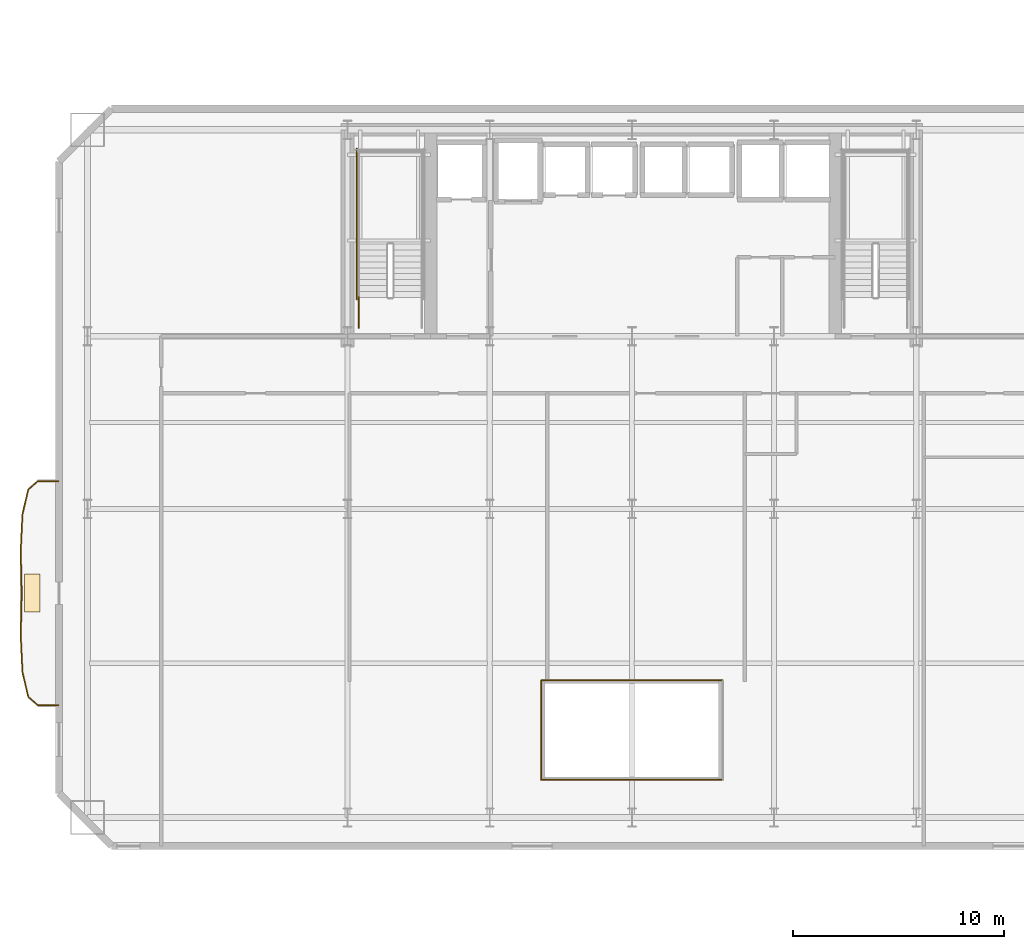
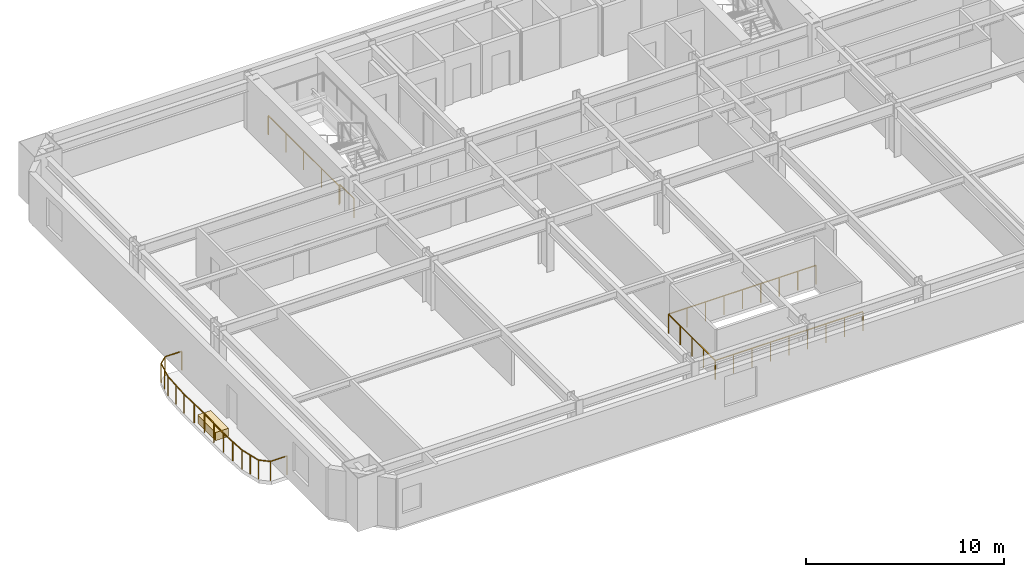
# One storey, part 10 of 16: 15 railings, 1 covering.
"""IFC4 building model written with IfcOpenShell, lengths in metres."""

from ifc_helpers import new_model, si_unit, direction, frame, origin, origin_2d, place, context, subcontext, project, spatial, rectangle, extrude, material, layer, layer_set, type_object, element, save


model = new_model("IFC4")

# Units and contexts
model_context = context("Model", 3, precision=1e-05, world=origin(), true_north=direction((0.0, 1.0)))
body_context = subcontext(model_context, "Body", "Model", "MODEL_VIEW")
ifc_project = project(units=[si_unit("LENGTHUNIT", "METRE"), si_unit("AREAUNIT", "SQUARE_METRE"), si_unit("VOLUMEUNIT", "CUBIC_METRE"), si_unit("PLANEANGLEUNIT", "RADIAN"), si_unit("MASSUNIT", "GRAM", prefix="KILO")], contexts=[model_context])

# Site, building, storey
site_placement = place(None, origin())
site = spatial("IfcSite", under=ifc_project, at=site_placement, CompositionType="ELEMENT")
building_placement = place(site_placement, origin())
building = spatial("IfcBuilding", under=site, at=building_placement, Name="Haevon Station Towers", CompositionType="ELEMENT")
storey_placement = place(building_placement, frame((0.0, 0.0, 43.800048828125)))
storey = spatial("IfcBuildingStorey", under=building, at=storey_placement, Name="L10", CompositionType="ELEMENT", Elevation=43.800048828125)

# Railings
ifc_material_1 = material(Name="Steel S355", Category="steel")
railing_type_1 = type_object("IfcRailingType", Name="BAL-ATR1200", PredefinedType="BALUSTRADE", material=ifc_material_1)
railing_1_placement = place(storey_placement, frame((33.19482421875, 17.142333984375, 0.0)))
element("IfcRailing", 1, at=railing_1_placement, inside=storey, type_object=railing_type_1, Name="L10 Atrium Void Balustrade 1", PredefinedType="BALUSTRADE", context=body_context, shape_type="SweptSolid", body=[
    extrude(rectangle(XDim=0.048095703125, YDim=0.048095703125, at=origin_2d()), frame((0.0, 0.0, 1.17578125), z_axis=(1.0, 0.0, 0.0), x_axis=(0.0, 1.0, 0.0)), (0.0, 0.0, 1.0), 8.6103515625),
    extrude(rectangle(XDim=0.0419921875, YDim=0.0419921875, at=origin_2d()), origin(), (0.0, 0.0, 1.0), 1.15185546875),
    extrude(rectangle(XDim=0.0419921875, YDim=0.0419921875, at=origin_2d()), frame((1.076171875, 0.0, 0.0)), (0.0, 0.0, 1.0), 1.15185546875),
    extrude(rectangle(XDim=0.0419921875, YDim=0.0419921875, at=origin_2d()), frame((2.152587890625, 0.0, 0.0)), (0.0, 0.0, 1.0), 1.15185546875),
    extrude(rectangle(XDim=0.0419921875, YDim=0.0419921875, at=origin_2d()), frame((3.22900390625, 0.0, 0.0)), (0.0, 0.0, 1.0), 1.15185546875),
    extrude(rectangle(XDim=0.0419921875, YDim=0.0419921875, at=origin_2d()), frame((4.30517578125, 0.0, 0.0)), (0.0, 0.0, 1.0), 1.15185546875),
    extrude(rectangle(XDim=0.0419921875, YDim=0.0419921875, at=origin_2d()), frame((5.38134765625, 0.0, 0.0)), (0.0, 0.0, 1.0), 1.15185546875),
    extrude(rectangle(XDim=0.0419921875, YDim=0.0419921875, at=origin_2d()), frame((6.457763671875, 0.0, 0.0)), (0.0, 0.0, 1.0), 1.15185546875),
    extrude(rectangle(XDim=0.0419921875, YDim=0.0419921875, at=origin_2d()), frame((7.5341796875, 0.0, 0.0)), (0.0, 0.0, 1.0), 1.15185546875),
    extrude(rectangle(XDim=0.0419921875, YDim=0.0419921875, at=origin_2d()), frame((8.6103515625, 0.0, 0.0)), (0.0, 0.0, 1.0), 1.15185546875),
])
railing_2_placement = place(storey_placement, frame((41.80517578125, 21.857666015625, 0.0)))
element("IfcRailing", 2, at=railing_2_placement, inside=storey, type_object=railing_type_1, Name="L10 Atrium Void Balustrade 3", PredefinedType="BALUSTRADE", context=body_context, shape_type="SweptSolid", body=[
    extrude(rectangle(XDim=0.048095703125, YDim=0.048095703125, at=origin_2d()), frame((0.0, 0.0, 1.17578125), z_axis=(-1.0, 0.0, 0.0), x_axis=(0.0, -1.0, 0.0)), (0.0, 0.0, 1.0), 8.6103515625),
    extrude(rectangle(XDim=0.0419921875, YDim=0.0419921875, at=origin_2d()), origin(), (0.0, 0.0, 1.0), 1.15185546875),
    extrude(rectangle(XDim=0.0419921875, YDim=0.0419921875, at=origin_2d()), frame((-1.076171875, 0.0, 0.0)), (0.0, 0.0, 1.0), 1.15185546875),
    extrude(rectangle(XDim=0.0419921875, YDim=0.0419921875, at=origin_2d()), frame((-2.152587890625, 0.0, 0.0)), (0.0, 0.0, 1.0), 1.15185546875),
    extrude(rectangle(XDim=0.0419921875, YDim=0.0419921875, at=origin_2d()), frame((-3.22900390625, 0.0, 0.0)), (0.0, 0.0, 1.0), 1.15185546875),
    extrude(rectangle(XDim=0.0419921875, YDim=0.0419921875, at=origin_2d()), frame((-4.30517578125, 0.0, 0.0)), (0.0, 0.0, 1.0), 1.15185546875),
    extrude(rectangle(XDim=0.0419921875, YDim=0.0419921875, at=origin_2d()), frame((-5.38134765625, 0.0, 0.0)), (0.0, 0.0, 1.0), 1.15185546875),
    extrude(rectangle(XDim=0.0419921875, YDim=0.0419921875, at=origin_2d()), frame((-6.457763671875, 0.0, 0.0)), (0.0, 0.0, 1.0), 1.15185546875),
    extrude(rectangle(XDim=0.0419921875, YDim=0.0419921875, at=origin_2d()), frame((-7.5341796875, 0.0, 0.0)), (0.0, 0.0, 1.0), 1.15185546875),
    extrude(rectangle(XDim=0.0419921875, YDim=0.0419921875, at=origin_2d()), frame((-8.6103515625, 0.0, 0.0)), (0.0, 0.0, 1.0), 1.15185546875),
])
railing_3_placement = place(storey_placement, frame((33.19482421875, 21.857666015625, 0.0)))
element("IfcRailing", 3, at=railing_3_placement, inside=storey, type_object=railing_type_1, Name="L10 Atrium Void Balustrade 4", PredefinedType="BALUSTRADE", context=body_context, shape_type="SweptSolid", body=[
    extrude(rectangle(XDim=0.048095703125, YDim=0.048095703125, at=origin_2d()), frame((0.0, 0.0, 1.17578125), z_axis=(0.0, -1.0, 0.0), x_axis=(1.0, 0.0, 0.0)), (0.0, 0.0, 1.0), 4.71533203125),
    extrude(rectangle(XDim=0.0419921875, YDim=0.0419921875, at=origin_2d()), origin(), (0.0, 0.0, 1.0), 1.15185546875),
    extrude(rectangle(XDim=0.0419921875, YDim=0.0419921875, at=origin_2d()), frame((0.0, -1.1787109375, 0.0)), (0.0, 0.0, 1.0), 1.15185546875),
    extrude(rectangle(XDim=0.0419921875, YDim=0.0419921875, at=origin_2d()), frame((0.0, -2.357666015625, 0.0)), (0.0, 0.0, 1.0), 1.15185546875),
    extrude(rectangle(XDim=0.0419921875, YDim=0.0419921875, at=origin_2d()), frame((0.0, -3.53662109375, 0.0)), (0.0, 0.0, 1.0), 1.15185546875),
    extrude(rectangle(XDim=0.0419921875, YDim=0.0419921875, at=origin_2d()), frame((0.0, -4.71533203125, 0.0)), (0.0, 0.0, 1.0), 1.15185546875),
])
railing_type_2 = type_object("IfcRailingType", Name="GRD-EXT1200", PredefinedType="GUARDRAIL", material=ifc_material_1)
railing_4_placement = place(storey_placement, frame((10.27685546875, 31.322021484375, 0.0)))
element("IfcRailing", 4, at=railing_4_placement, inside=storey, type_object=railing_type_2, Name="L10 Perimeter Guardrail 1", PredefinedType="GUARDRAIL", context=body_context, shape_type="SweptSolid", body=[
    extrude(rectangle(XDim=0.048095703125, YDim=0.048095703125, at=origin_2d()), frame((0.0, 0.0, 1.17578125), z_axis=(-0.999997991982, -0.002004003992, 0.0), x_axis=(0.002004003992, -0.999997991982, 0.0)), (0.0, 0.0, 1.0), 0.974609375),
    extrude(rectangle(XDim=0.0419921875, YDim=0.0419921875, at=origin_2d()), origin(), (0.0, 0.0, 1.0), 1.15185546875),
    extrude(rectangle(XDim=0.0419921875, YDim=0.0419921875, at=origin_2d()), frame((-0.974609375, -0.001953125, 0.0)), (0.0, 0.0, 1.0), 1.15185546875),
])
railing_5_placement = place(storey_placement, frame((9.30224609375, 31.320068359375, 0.0)))
element("IfcRailing", 5, at=railing_5_placement, inside=storey, type_object=railing_type_2, Name="L10 Perimeter Guardrail 2", PredefinedType="GUARDRAIL", context=body_context, shape_type="SweptSolid", body=[
    extrude(rectangle(XDim=0.048095703125, YDim=0.048095703125, at=origin_2d()), frame((0.0, 0.0, 1.17578125), z_axis=(-0.750775765034, -0.660557151681, 0.0), x_axis=(0.660557151681, -0.750775765034, 0.0)), (0.0, 0.0, 1.0), 0.622314453125),
    extrude(rectangle(XDim=0.0419921875, YDim=0.0419921875, at=origin_2d()), origin(), (0.0, 0.0, 1.0), 1.15185546875),
    extrude(rectangle(XDim=0.0419921875, YDim=0.0419921875, at=origin_2d()), frame((-0.46728515625, -0.4111328125, 0.0)), (0.0, 0.0, 1.0), 1.15185546875),
])
railing_6_placement = place(storey_placement, frame((8.8349609375, 30.908935546875, 0.0)))
element("IfcRailing", 6, at=railing_6_placement, inside=storey, type_object=railing_type_2, Name="L10 Perimeter Guardrail 3", PredefinedType="GUARDRAIL", context=body_context, shape_type="SweptSolid", body=[
    extrude(rectangle(XDim=0.048095703125, YDim=0.048095703125, at=origin_2d()), frame((0.0, 0.0, 1.17578125), z_axis=(-0.227396637596, -0.973802222841, 0.0), x_axis=(0.973802222841, -0.227396637596, 0.0)), (0.0, 0.0, 1.0), 1.201416015625),
    extrude(rectangle(XDim=0.0419921875, YDim=0.0419921875, at=origin_2d()), origin(), (0.0, 0.0, 1.0), 1.15185546875),
    extrude(rectangle(XDim=0.0419921875, YDim=0.0419921875, at=origin_2d()), frame((-0.13671875, -0.5849609375, 0.0)), (0.0, 0.0, 1.0), 1.15185546875),
    extrude(rectangle(XDim=0.0419921875, YDim=0.0419921875, at=origin_2d()), frame((-0.273193359375, -1.169921875, 0.0)), (0.0, 0.0, 1.0), 1.15185546875),
])
railing_7_placement = place(storey_placement, frame((8.561767578125, 29.739013671875, 0.0)))
element("IfcRailing", 7, at=railing_7_placement, inside=storey, type_object=railing_type_2, Name="L10 Perimeter Guardrail 4", PredefinedType="GUARDRAIL", context=body_context, shape_type="SweptSolid", body=[
    extrude(rectangle(XDim=0.048095703125, YDim=0.048095703125, at=origin_2d()), frame((0.0, 0.0, 1.17578125), z_axis=(-0.046419346873, -0.99892204112, 0.0), x_axis=(0.99892204112, -0.046419346873, 0.0)), (0.0, 0.0, 1.0), 1.75146484375),
    extrude(rectangle(XDim=0.0419921875, YDim=0.0419921875, at=origin_2d()), origin(), (0.0, 0.0, 1.0), 1.15185546875),
    extrude(rectangle(XDim=0.0419921875, YDim=0.0419921875, at=origin_2d()), frame((-0.04052734375, -0.874755859375, 0.0)), (0.0, 0.0, 1.0), 1.15185546875),
    extrude(rectangle(XDim=0.0419921875, YDim=0.0419921875, at=origin_2d()), frame((-0.081298828125, -1.74951171875, 0.0)), (0.0, 0.0, 1.0), 1.15185546875),
])
railing_8_placement = place(storey_placement, frame((8.48046875, 27.989501953125, 0.0)))
element("IfcRailing", 8, at=railing_8_placement, inside=storey, type_object=railing_type_2, Name="L10 Perimeter Guardrail 5", PredefinedType="GUARDRAIL", context=body_context, shape_type="SweptSolid", body=[
    extrude(rectangle(XDim=0.048095703125, YDim=0.048095703125, at=origin_2d()), frame((0.0, 0.0, 1.17578125), z_axis=(0.024290290781, -0.999704947359, 0.0), x_axis=(0.999704947359, 0.024290290781, 0.0)), (0.0, 0.0, 1.0), 1.989990234375),
    extrude(rectangle(XDim=0.0419921875, YDim=0.0419921875, at=origin_2d()), origin(), (0.0, 0.0, 1.0), 1.15185546875),
    extrude(rectangle(XDim=0.0419921875, YDim=0.0419921875, at=origin_2d()), frame((0.024169921875, -0.99462890625, 0.0)), (0.0, 0.0, 1.0), 1.15185546875),
    extrude(rectangle(XDim=0.0419921875, YDim=0.0419921875, at=origin_2d()), frame((0.04833984375, -1.989501953125, 0.0)), (0.0, 0.0, 1.0), 1.15185546875),
])
railing_9_placement = place(storey_placement, frame((8.52880859375, 26.0, 0.0)))
element("IfcRailing", 9, at=railing_9_placement, inside=storey, type_object=railing_type_2, Name="L10 Perimeter Guardrail 6", PredefinedType="GUARDRAIL", context=body_context, shape_type="SweptSolid", body=[
    extrude(rectangle(XDim=0.048095703125, YDim=0.048095703125, at=origin_2d()), frame((0.0, 0.0, 1.17578125), z_axis=(-0.024290290781, -0.999704947359, 0.0), x_axis=(0.999704947359, -0.024290290781, 0.0)), (0.0, 0.0, 1.0), 1.989990234375),
    extrude(rectangle(XDim=0.0419921875, YDim=0.0419921875, at=origin_2d()), origin(), (0.0, 0.0, 1.0), 1.15185546875),
    extrude(rectangle(XDim=0.0419921875, YDim=0.0419921875, at=origin_2d()), frame((-0.024169921875, -0.99462890625, 0.0)), (0.0, 0.0, 1.0), 1.15185546875),
    extrude(rectangle(XDim=0.0419921875, YDim=0.0419921875, at=origin_2d()), frame((-0.04833984375, -1.989501953125, 0.0)), (0.0, 0.0, 1.0), 1.15185546875),
])
railing_10_placement = place(storey_placement, frame((8.48046875, 24.010498046875, 0.0)))
element("IfcRailing", 10, at=railing_10_placement, inside=storey, type_object=railing_type_2, Name="L10 Perimeter Guardrail 7", PredefinedType="GUARDRAIL", context=body_context, shape_type="SweptSolid", body=[
    extrude(rectangle(XDim=0.048095703125, YDim=0.048095703125, at=origin_2d()), frame((0.0, 0.0, 1.17578125), z_axis=(0.046419346873, -0.99892204112, 0.0), x_axis=(0.99892204112, 0.046419346873, 0.0)), (0.0, 0.0, 1.0), 1.75146484375),
    extrude(rectangle(XDim=0.0419921875, YDim=0.0419921875, at=origin_2d()), origin(), (0.0, 0.0, 1.0), 1.15185546875),
    extrude(rectangle(XDim=0.0419921875, YDim=0.0419921875, at=origin_2d()), frame((0.04052734375, -0.874755859375, 0.0)), (0.0, 0.0, 1.0), 1.15185546875),
    extrude(rectangle(XDim=0.0419921875, YDim=0.0419921875, at=origin_2d()), frame((0.081298828125, -1.74951171875, 0.0)), (0.0, 0.0, 1.0), 1.15185546875),
])
railing_11_placement = place(storey_placement, frame((8.561767578125, 22.260986328125, 0.0)))
element("IfcRailing", 11, at=railing_11_placement, inside=storey, type_object=railing_type_2, Name="L10 Perimeter Guardrail 8", PredefinedType="GUARDRAIL", context=body_context, shape_type="SweptSolid", body=[
    extrude(rectangle(XDim=0.048095703125, YDim=0.048095703125, at=origin_2d()), frame((0.0, 0.0, 1.17578125), z_axis=(0.227396637596, -0.973802222841, 0.0), x_axis=(0.973802222841, 0.227396637596, 0.0)), (0.0, 0.0, 1.0), 1.201416015625),
    extrude(rectangle(XDim=0.0419921875, YDim=0.0419921875, at=origin_2d()), origin(), (0.0, 0.0, 1.0), 1.15185546875),
    extrude(rectangle(XDim=0.0419921875, YDim=0.0419921875, at=origin_2d()), frame((0.13671875, -0.5849609375, 0.0)), (0.0, 0.0, 1.0), 1.15185546875),
    extrude(rectangle(XDim=0.0419921875, YDim=0.0419921875, at=origin_2d()), frame((0.273193359375, -1.169921875, 0.0)), (0.0, 0.0, 1.0), 1.15185546875),
])
railing_12_placement = place(storey_placement, frame((8.8349609375, 21.091064453125, 0.0)))
element("IfcRailing", 12, at=railing_12_placement, inside=storey, type_object=railing_type_2, Name="L10 Perimeter Guardrail 9", PredefinedType="GUARDRAIL", context=body_context, shape_type="SweptSolid", body=[
    extrude(rectangle(XDim=0.048095703125, YDim=0.048095703125, at=origin_2d()), frame((0.0, 0.0, 1.17578125), z_axis=(0.750775765034, -0.660557151681, 0.0), x_axis=(0.660557151681, 0.750775765034, 0.0)), (0.0, 0.0, 1.0), 0.622314453125),
    extrude(rectangle(XDim=0.0419921875, YDim=0.0419921875, at=origin_2d()), origin(), (0.0, 0.0, 1.0), 1.15185546875),
    extrude(rectangle(XDim=0.0419921875, YDim=0.0419921875, at=origin_2d()), frame((0.46728515625, -0.4111328125, 0.0)), (0.0, 0.0, 1.0), 1.15185546875),
])
railing_13_placement = place(storey_placement, frame((9.30224609375, 20.679931640625, 0.0)))
element("IfcRailing", 13, at=railing_13_placement, inside=storey, type_object=railing_type_2, Name="L10 Perimeter Guardrail 10", PredefinedType="GUARDRAIL", context=body_context, shape_type="SweptSolid", body=[
    extrude(rectangle(XDim=0.048095703125, YDim=0.048095703125, at=origin_2d()), frame((0.0, 0.0, 1.17578125), z_axis=(0.999997991982, -0.002004003992, 0.0), x_axis=(0.002004003992, 0.999997991982, 0.0)), (0.0, 0.0, 1.0), 0.974609375),
    extrude(rectangle(XDim=0.0419921875, YDim=0.0419921875, at=origin_2d()), origin(), (0.0, 0.0, 1.0), 1.15185546875),
    extrude(rectangle(XDim=0.0419921875, YDim=0.0419921875, at=origin_2d()), frame((0.974609375, -0.001953125, 0.0)), (0.0, 0.0, 1.0), 1.15185546875),
])
railing_type_3 = type_object("IfcRailingType", Name="GRD-STR1200", PredefinedType="GUARDRAIL", material=ifc_material_1)
railing_14_placement = place(storey_placement, frame((24.530029296875, 38.60009765625, 0.0)))
element("IfcRailing", 14, at=railing_14_placement, inside=storey, type_object=railing_type_3, Name="L10 ST1 Stair Guard 9", PredefinedType="GUARDRAIL", context=body_context, shape_type="SweptSolid", body=[
    extrude(rectangle(XDim=0.048095703125, YDim=0.048095703125, at=origin_2d()), frame((0.0, 0.0, 1.17578125), z_axis=(0.0, 1.0, 0.0), x_axis=(-1.0, 0.0, 0.0)), (0.0, 0.0, 1.0), 1.449951171875),
    extrude(rectangle(XDim=0.0419921875, YDim=0.0419921875, at=origin_2d()), origin(), (0.0, 0.0, 1.0), 1.15185546875),
    extrude(rectangle(XDim=0.0419921875, YDim=0.0419921875, at=origin_2d()), frame((0.0, 1.449951171875, 0.0)), (0.0, 0.0, 1.0), 1.15185546875),
])
railing_15_placement = place(storey_placement, frame((24.429931640625, 39.949951171875, 0.0)))
element("IfcRailing", 15, at=railing_15_placement, inside=storey, type_object=railing_type_3, Name="L10 ST1 Stair Guard 11", PredefinedType="GUARDRAIL", context=body_context, shape_type="SweptSolid", body=[
    extrude(rectangle(XDim=0.048095703125, YDim=0.048095703125, at=origin_2d()), frame((0.0, 0.0, 1.17578125), z_axis=(0.0, 1.0, 0.0), x_axis=(-1.0, 0.0, 0.0)), (0.0, 0.0, 1.0), 7.150146484375),
    extrude(rectangle(XDim=0.0419921875, YDim=0.0419921875, at=origin_2d()), origin(), (0.0, 0.0, 1.0), 1.15185546875),
    extrude(rectangle(XDim=0.0419921875, YDim=0.0419921875, at=origin_2d()), frame((0.0, 1.78759765625, 0.0)), (0.0, 0.0, 1.0), 1.15185546875),
    extrude(rectangle(XDim=0.0419921875, YDim=0.0419921875, at=origin_2d()), frame((0.0, 3.5751953125, 0.0)), (0.0, 0.0, 1.0), 1.15185546875),
    extrude(rectangle(XDim=0.0419921875, YDim=0.0419921875, at=origin_2d()), frame((0.0, 5.362548828125, 0.0)), (0.0, 0.0, 1.0), 1.15185546875),
    extrude(rectangle(XDim=0.0419921875, YDim=0.0419921875, at=origin_2d()), frame((0.0, 7.150146484375, 0.0)), (0.0, 0.0, 1.0), 1.15185546875),
])

# Covering
ifc_material_2 = material(Name="Architectural planter GRC", Category="concrete")
ifc_layer = layer(ifc_material_2, 0.550048828125)
ifc_layer_set = layer_set([ifc_layer], Name="Architectural planter GRC")
covering_type = type_object("IfcCoveringType", Name="PLN-GRC550", PredefinedType="MOLDING", material=ifc_layer_set)
covering_placement = place(storey_placement, frame((9.030517578125, 26.0, 0.0), z_axis=(0.0, 0.0, 1.0), x_axis=(1.0, 0.0, 0.0)))
element("IfcCovering", 16, at=covering_placement, inside=storey, type_object=covering_type, Name="Tower 1 L10 Scalloped Balcony PLANTER", PredefinedType="MOLDING", context=body_context, shape_type="SweptSolid", body=[
    extrude(rectangle(XDim=0.75, YDim=1.800048828125, at=origin_2d()), origin(), (0.0, 0.0, 1.0), 0.5),
])

save(model, "model.ifc")
